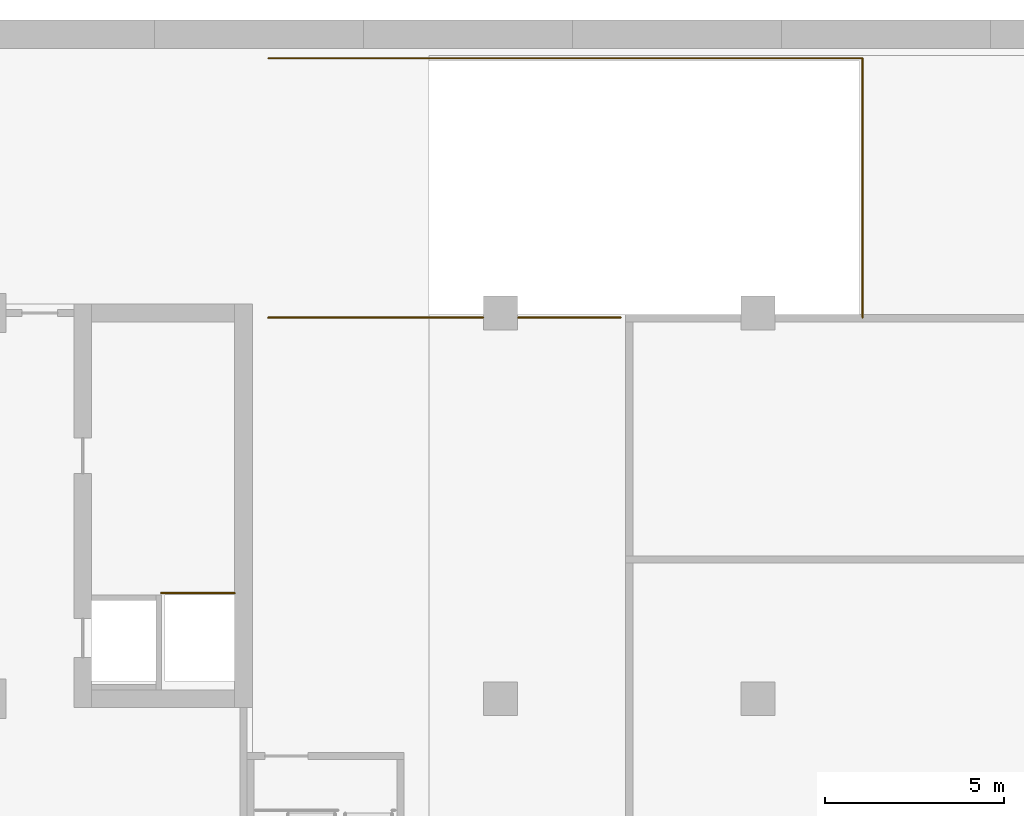
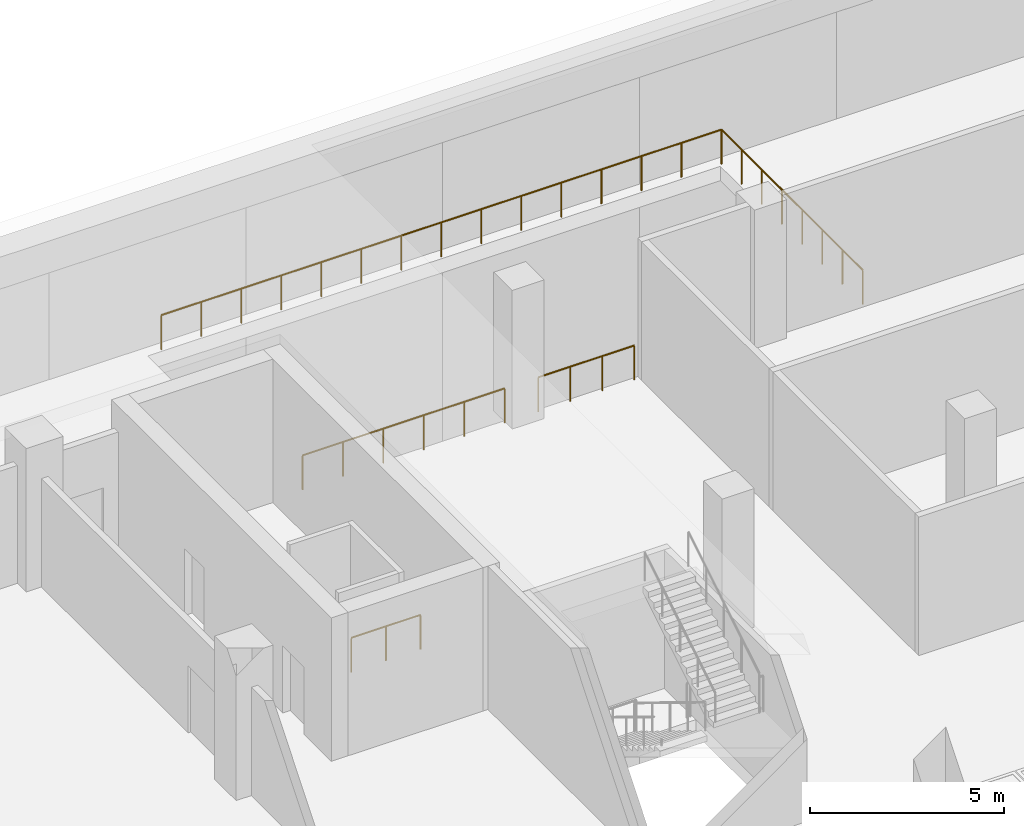
# One storey, part 18 of 18: 4 railings.
"""IFC4 building model written with IfcOpenShell, lengths in metres."""

from ifc_helpers import new_model, si_unit, direction, frame, origin, origin_2d, place, context, subcontext, project, spatial, circle, extrude, material, type_object, element, save


model = new_model("IFC4")

# Units and contexts
model_context = context("Model", 3, precision=1e-05, world=origin(), true_north=direction((0.0, 1.0)))
body_context = subcontext(model_context, "Body", "Model", "MODEL_VIEW")
ifc_project = project(units=[si_unit("LENGTHUNIT", "METRE"), si_unit("AREAUNIT", "SQUARE_METRE"), si_unit("VOLUMEUNIT", "CUBIC_METRE"), si_unit("PLANEANGLEUNIT", "RADIAN"), si_unit("MASSUNIT", "GRAM", prefix="KILO")], contexts=[model_context])

# Site, building, storey
site_placement = place(None, origin())
site = spatial("IfcSite", under=ifc_project, at=site_placement, CompositionType="ELEMENT")
building_placement = place(site_placement, origin())
building = spatial("IfcBuilding", under=site, at=building_placement, Name="Basin Gate Institute", CompositionType="ELEMENT")
storey_placement = place(building_placement, frame((0.0, 0.0, -4.800048828125)))
storey = spatial("IfcBuildingStorey", under=building, at=storey_placement, Name="B1", CompositionType="ELEMENT", Elevation=-4.800048828125)

# Railings
ifc_material_1 = material(Name="Galvanised steel tube and mesh infill", Category="steel")
railing_type_1 = type_object("IfcRailingType", Name="Duct opening guard RL-D", PredefinedType="GUARDRAIL", material=ifc_material_1)
railing_1_placement = place(storey_placement, frame((118.550048828125, 92.06005859375, 0.0)))
element("IfcRailing", 1, at=railing_1_placement, inside=storey, type_object=railing_type_1, material=ifc_material_1, Name="Riser opening guard RL-D EN A", PredefinedType="GUARDRAIL", context=body_context, shape_type="SweptSolid", body=[
    extrude(circle(Radius=0.02392578125, at=origin_2d()), frame((0.0, 0.0, 1.076171875), z_axis=(-1.0, 0.0, 0.0), x_axis=(0.0, -1.0, 0.0)), (0.0, 0.0, 1.0), 2.050048828125),
    extrude(circle(Radius=0.02099609375, at=origin_2d()), origin(), (0.0, 0.0, 1.0), 1.052001953125),
    extrude(circle(Radius=0.02099609375, at=origin_2d()), frame((-1.02490234375, 0.0, 0.0)), (0.0, 0.0, 1.0), 1.052001953125),
    extrude(circle(Radius=0.02099609375, at=origin_2d()), frame((-2.050048828125, 0.0, 0.0)), (0.0, 0.0, 1.0), 1.052001953125),
])
ifc_material_2 = material(Name="Galvanised steel", Category="steel")
railing_type_2 = type_object("IfcRailingType", Name="Ramp edge guard GR4", PredefinedType="GUARDRAIL", material=ifc_material_2)
railing_2_placement = place(storey_placement, frame((136.1298828125, 99.77001953125, 0.0)))
element("IfcRailing", 2, at=railing_2_placement, inside=storey, type_object=railing_type_2, material=ifc_material_2, Name="Ramp edge guard GR4 R2 B1", PredefinedType="GUARDRAIL", context=body_context, shape_type="SweptSolid", body=[
    extrude(circle(Radius=0.02392578125, at=origin_2d()), frame((0.0, 0.0, 1.076171875), z_axis=(0.0, 1.0, 0.0), x_axis=(-1.0, 0.0, 0.0)), (0.0, 0.0, 1.0), 7.260009765625),
    extrude(circle(Radius=0.02392578125, at=origin_2d()), frame((0.0, 7.260009765625, 1.076171875), z_axis=(-1.0, 0.0, 0.0), x_axis=(0.0, -1.0, 0.0)), (0.0, 0.0, 1.0), 16.6298828125),
    extrude(circle(Radius=0.02099609375, at=origin_2d()), origin(), (0.0, 0.0, 1.0), 1.052001953125),
    extrude(circle(Radius=0.02099609375, at=origin_2d()), frame((0.0, 1.037109375, 0.0)), (0.0, 0.0, 1.0), 1.052001953125),
    extrude(circle(Radius=0.02099609375, at=origin_2d()), frame((0.0, 2.07421875, 0.0)), (0.0, 0.0, 1.0), 1.052001953125),
    extrude(circle(Radius=0.02099609375, at=origin_2d()), frame((0.0, 3.111328125, 0.0)), (0.0, 0.0, 1.0), 1.052001953125),
    extrude(circle(Radius=0.02099609375, at=origin_2d()), frame((0.0, 4.148681640625, 0.0)), (0.0, 0.0, 1.0), 1.052001953125),
    extrude(circle(Radius=0.02099609375, at=origin_2d()), frame((0.0, 5.185791015625, 0.0)), (0.0, 0.0, 1.0), 1.052001953125),
    extrude(circle(Radius=0.02099609375, at=origin_2d()), frame((0.0, 6.222900390625, 0.0)), (0.0, 0.0, 1.0), 1.052001953125),
    extrude(circle(Radius=0.02099609375, at=origin_2d()), frame((0.0, 7.260009765625, 0.0)), (0.0, 0.0, 1.0), 1.052001953125),
    extrude(circle(Radius=0.02099609375, at=origin_2d()), frame((-1.187744140625, 7.260009765625, 0.0)), (0.0, 0.0, 1.0), 1.052001953125),
    extrude(circle(Radius=0.02099609375, at=origin_2d()), frame((-2.375732421875, 7.260009765625, 0.0)), (0.0, 0.0, 1.0), 1.052001953125),
    extrude(circle(Radius=0.02099609375, at=origin_2d()), frame((-3.5634765625, 7.260009765625, 0.0)), (0.0, 0.0, 1.0), 1.052001953125),
    extrude(circle(Radius=0.02099609375, at=origin_2d()), frame((-4.75146484375, 7.260009765625, 0.0)), (0.0, 0.0, 1.0), 1.052001953125),
    extrude(circle(Radius=0.02099609375, at=origin_2d()), frame((-5.939208984375, 7.260009765625, 0.0)), (0.0, 0.0, 1.0), 1.052001953125),
    extrude(circle(Radius=0.02099609375, at=origin_2d()), frame((-7.127197265625, 7.260009765625, 0.0)), (0.0, 0.0, 1.0), 1.052001953125),
    extrude(circle(Radius=0.02099609375, at=origin_2d()), frame((-8.31494140625, 7.260009765625, 0.0)), (0.0, 0.0, 1.0), 1.052001953125),
    extrude(circle(Radius=0.02099609375, at=origin_2d()), frame((-9.502685546875, 7.260009765625, 0.0)), (0.0, 0.0, 1.0), 1.052001953125),
    extrude(circle(Radius=0.02099609375, at=origin_2d()), frame((-10.690673828125, 7.260009765625, 0.0)), (0.0, 0.0, 1.0), 1.052001953125),
    extrude(circle(Radius=0.02099609375, at=origin_2d()), frame((-11.87841796875, 7.260009765625, 0.0)), (0.0, 0.0, 1.0), 1.052001953125),
    extrude(circle(Radius=0.02099609375, at=origin_2d()), frame((-13.06640625, 7.260009765625, 0.0)), (0.0, 0.0, 1.0), 1.052001953125),
    extrude(circle(Radius=0.02099609375, at=origin_2d()), frame((-14.254150390625, 7.260009765625, 0.0)), (0.0, 0.0, 1.0), 1.052001953125),
    extrude(circle(Radius=0.02099609375, at=origin_2d()), frame((-15.442138671875, 7.260009765625, 0.0)), (0.0, 0.0, 1.0), 1.052001953125),
    extrude(circle(Radius=0.02099609375, at=origin_2d()), frame((-16.6298828125, 7.260009765625, 0.0)), (0.0, 0.0, 1.0), 1.052001953125),
])
railing_3_placement = place(storey_placement, frame((126.5, 99.77001953125, 0.0)))
element("IfcRailing", 3, at=railing_3_placement, inside=storey, type_object=railing_type_2, material=ifc_material_2, Name="Ramp edge guard GR4 R2 side 1", PredefinedType="GUARDRAIL", context=body_context, shape_type="SweptSolid", body=[
    extrude(circle(Radius=0.02392578125, at=origin_2d()), frame((0.0, 0.0, 1.076171875), z_axis=(1.0, 0.0, 0.0), x_axis=(0.0, 1.0, 0.0)), (0.0, 0.0, 1.0), 2.85009765625),
    extrude(circle(Radius=0.02099609375, at=origin_2d()), origin(), (0.0, 0.0, 1.0), 1.052001953125),
    extrude(circle(Radius=0.02099609375, at=origin_2d()), frame((0.949951171875, 0.0, 0.0)), (0.0, 0.0, 1.0), 1.052001953125),
    extrude(circle(Radius=0.02099609375, at=origin_2d()), frame((1.900146484375, 0.0, 0.0)), (0.0, 0.0, 1.0), 1.052001953125),
    extrude(circle(Radius=0.02099609375, at=origin_2d()), frame((2.85009765625, 0.0, 0.0)), (0.0, 0.0, 1.0), 1.052001953125),
])
railing_4_placement = place(storey_placement, frame((119.5, 99.77001953125, 0.0)))
element("IfcRailing", 4, at=railing_4_placement, inside=storey, type_object=railing_type_2, material=ifc_material_2, Name="Ramp edge guard GR4 R2 side 2", PredefinedType="GUARDRAIL", context=body_context, shape_type="SweptSolid", body=[
    extrude(circle(Radius=0.02392578125, at=origin_2d()), frame((0.0, 0.0, 1.076171875), z_axis=(1.0, 0.0, 0.0), x_axis=(0.0, 1.0, 0.0)), (0.0, 0.0, 1.0), 6.0),
    extrude(circle(Radius=0.02099609375, at=origin_2d()), origin(), (0.0, 0.0, 1.0), 1.052001953125),
    extrude(circle(Radius=0.02099609375, at=origin_2d()), frame((1.199951171875, 0.0, 0.0)), (0.0, 0.0, 1.0), 1.052001953125),
    extrude(circle(Radius=0.02099609375, at=origin_2d()), frame((2.39990234375, 0.0, 0.0)), (0.0, 0.0, 1.0), 1.052001953125),
    extrude(circle(Radius=0.02099609375, at=origin_2d()), frame((3.60009765625, 0.0, 0.0)), (0.0, 0.0, 1.0), 1.052001953125),
    extrude(circle(Radius=0.02099609375, at=origin_2d()), frame((4.800048828125, 0.0, 0.0)), (0.0, 0.0, 1.0), 1.052001953125),
    extrude(circle(Radius=0.02099609375, at=origin_2d()), frame((6.0, 0.0, 0.0)), (0.0, 0.0, 1.0), 1.052001953125),
])

save(model, "model.ifc")
